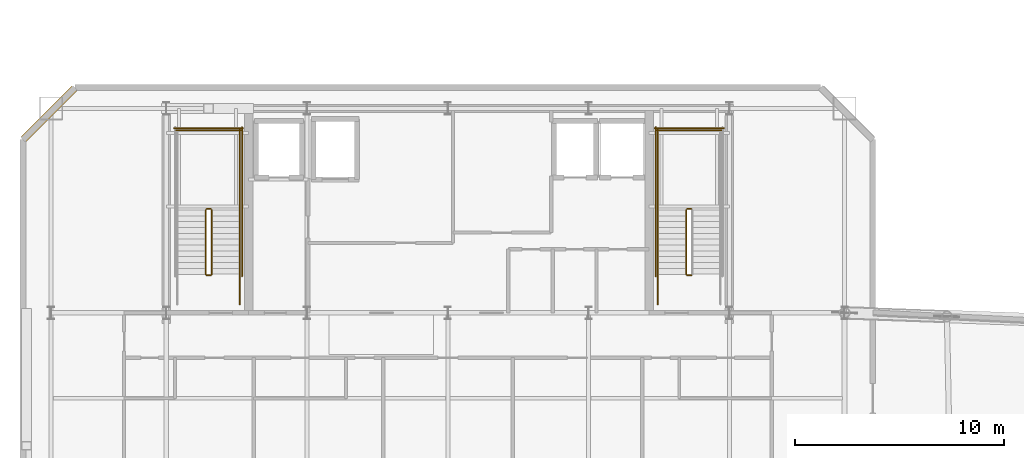
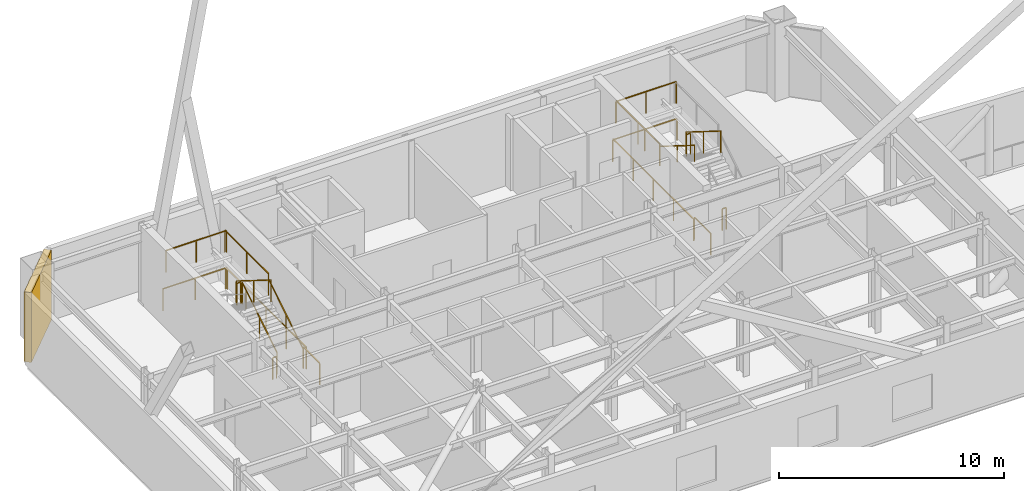
# One storey, part 21 of 23: 19 railings, 1 shading device.
"""IFC4 building model written with IfcOpenShell, lengths in metres."""

from ifc_helpers import new_model, si_unit, direction, frame, origin, origin_2d, place, context, subcontext, project, spatial, rectangle, extrude, material, layer, layer_set, type_object, element, save


model = new_model("IFC4")

# Units and contexts
model_context = context("Model", 3, precision=1e-05, world=origin(), true_north=direction((0.0, 1.0)))
body_context = subcontext(model_context, "Body", "Model", "MODEL_VIEW")
ifc_project = project(units=[si_unit("LENGTHUNIT", "METRE"), si_unit("AREAUNIT", "SQUARE_METRE"), si_unit("VOLUMEUNIT", "CUBIC_METRE"), si_unit("PLANEANGLEUNIT", "RADIAN"), si_unit("MASSUNIT", "GRAM", prefix="KILO")], contexts=[model_context])

# Site, building, storey
site_placement = place(None, origin())
site = spatial("IfcSite", under=ifc_project, at=site_placement, CompositionType="ELEMENT")
building_placement = place(site_placement, origin())
building = spatial("IfcBuilding", under=site, at=building_placement, Name="Haevon Station Towers", CompositionType="ELEMENT")
storey_placement = place(building_placement, frame((0.0, 0.0, 197.10009765625)))
storey = spatial("IfcBuildingStorey", under=building, at=storey_placement, Name="L54", CompositionType="ELEMENT", Elevation=197.10009765625)

# Railings
ifc_material_1 = material(Name="Steel S355", Category="steel")
railing_type_1 = type_object("IfcRailingType", Name="GRD-STR1200", PredefinedType="GUARDRAIL", material=ifc_material_1)
railing_1_placement = place(storey_placement, frame((26.179931640625, 40.050048828125, 0.1748046875)))
element("IfcRailing", 1, at=railing_1_placement, inside=storey, type_object=railing_type_1, Name="L54 ST1 Stair Guard 1", PredefinedType="GUARDRAIL", context=body_context, shape_type="SweptSolid", body=[
    extrude(rectangle(XDim=0.048095703125, YDim=0.048095703125, at=origin_2d()), frame((0.0, 0.0, 1.17578125), z_axis=(0.0, 0.847979421464, 0.530029150871), x_axis=(-1.0, 0.0, 0.0)), (0.0, 0.0, 1.0), 3.632080078125),
    extrude(rectangle(XDim=0.0419921875, YDim=0.0419921875, at=origin_2d()), origin(), (0.0, 0.0, 1.0), 1.15185546875),
    extrude(rectangle(XDim=0.0419921875, YDim=0.0419921875, at=origin_2d()), frame((0.0, 1.5400390625, 0.96240234375)), (0.0, 0.0, 1.0), 1.15185546875),
    extrude(rectangle(XDim=0.0419921875, YDim=0.0419921875, at=origin_2d()), frame((0.0, 3.079833984375, 1.925048828125)), (0.0, 0.0, 1.0), 1.15185546875),
])
railing_2_placement = place(storey_placement, frame((26.1298828125, 43.179931640625, 2.099853515625)))
element("IfcRailing", 2, at=railing_2_placement, inside=storey, type_object=railing_type_1, Name="L54 ST1 Stair Guard 2", PredefinedType="GUARDRAIL", context=body_context, shape_type="SweptSolid", body=[
    extrude(rectangle(XDim=0.048095703125, YDim=0.048095703125, at=origin_2d()), frame((0.0, 0.0, 1.17578125), z_axis=(-1.0, 0.0, 0.0), x_axis=(0.0, -1.0, 0.0)), (0.0, 0.0, 1.0), 0.199951171875),
    extrude(rectangle(XDim=0.0419921875, YDim=0.0419921875, at=origin_2d()), origin(), (0.0, 0.0, 1.0), 1.15185546875),
    extrude(rectangle(XDim=0.0419921875, YDim=0.0419921875, at=origin_2d()), frame((-0.199951171875, 0.0, 0.0)), (0.0, 0.0, 1.0), 1.15185546875),
])
railing_3_placement = place(storey_placement, frame((27.530029296875, 43.1298828125, 2.099853515625)))
element("IfcRailing", 3, at=railing_3_placement, inside=storey, type_object=railing_type_1, Name="L54 ST1 Stair Guard 3", PredefinedType="GUARDRAIL", context=body_context, shape_type="SweptSolid", body=[
    extrude(rectangle(XDim=0.048095703125, YDim=0.048095703125, at=origin_2d()), frame((0.0, 0.0, 1.17578125), z_axis=(0.0, 1.0, 0.0), x_axis=(-1.0, 0.0, 0.0)), (0.0, 0.0, 1.0), 3.8701171875),
    extrude(rectangle(XDim=0.0419921875, YDim=0.0419921875, at=origin_2d()), origin(), (0.0, 0.0, 1.0), 1.15185546875),
    extrude(rectangle(XDim=0.0419921875, YDim=0.0419921875, at=origin_2d()), frame((0.0, 1.93505859375, 0.0)), (0.0, 0.0, 1.0), 1.15185546875),
    extrude(rectangle(XDim=0.0419921875, YDim=0.0419921875, at=origin_2d()), frame((0.0, 3.8701171875, 0.0)), (0.0, 0.0, 1.0), 1.15185546875),
])
railing_4_placement = place(storey_placement, frame((27.580078125, 46.949951171875, 2.099853515625)))
element("IfcRailing", 4, at=railing_4_placement, inside=storey, type_object=railing_type_1, Name="L54 ST1 Stair Guard 5", PredefinedType="GUARDRAIL", context=body_context, shape_type="SweptSolid", body=[
    extrude(rectangle(XDim=0.048095703125, YDim=0.048095703125, at=origin_2d()), frame((0.0, 0.0, 1.17578125), z_axis=(-1.0, 0.0, 0.0), x_axis=(0.0, -1.0, 0.0)), (0.0, 0.0, 1.0), 3.10009765625),
    extrude(rectangle(XDim=0.0419921875, YDim=0.0419921875, at=origin_2d()), origin(), (0.0, 0.0, 1.0), 1.15185546875),
    extrude(rectangle(XDim=0.0419921875, YDim=0.0419921875, at=origin_2d()), frame((-1.550048828125, 0.0, 0.0)), (0.0, 0.0, 1.0), 1.15185546875),
    extrude(rectangle(XDim=0.0419921875, YDim=0.0419921875, at=origin_2d()), frame((-3.10009765625, 0.0, 0.0)), (0.0, 0.0, 1.0), 1.15185546875),
])
railing_5_placement = place(storey_placement, frame((25.8798828125, 43.1298828125, 2.27490234375)))
element("IfcRailing", 5, at=railing_5_placement, inside=storey, type_object=railing_type_1, Name="L54 ST1 Stair Guard 6", PredefinedType="GUARDRAIL", context=body_context, shape_type="SweptSolid", body=[
    extrude(rectangle(XDim=0.048095703125, YDim=0.048095703125, at=origin_2d()), frame((0.0, 0.0, 1.17578125), z_axis=(0.0, -0.847979421464, 0.530029150871), x_axis=(1.0, 0.0, 0.0)), (0.0, 0.0, 1.0), 3.632080078125),
    extrude(rectangle(XDim=0.0419921875, YDim=0.0419921875, at=origin_2d()), origin(), (0.0, 0.0, 1.0), 1.15185546875),
    extrude(rectangle(XDim=0.0419921875, YDim=0.0419921875, at=origin_2d()), frame((0.0, -1.5400390625, 0.96240234375)), (0.0, 0.0, 1.0), 1.15185546875),
    extrude(rectangle(XDim=0.0419921875, YDim=0.0419921875, at=origin_2d()), frame((0.0, -3.079833984375, 1.925048828125)), (0.0, 0.0, 1.0), 1.15185546875),
])
railing_6_placement = place(storey_placement, frame((26.1298828125, 40.0, 0.0)))
element("IfcRailing", 6, at=railing_6_placement, inside=storey, type_object=railing_type_1, Name="L54 ST1 Stair Guard 7", PredefinedType="GUARDRAIL", context=body_context, shape_type="SweptSolid", body=[
    extrude(rectangle(XDim=0.048095703125, YDim=0.048095703125, at=origin_2d()), frame((0.0, 0.0, 1.17578125), z_axis=(-1.0, 0.0, 0.0), x_axis=(0.0, -1.0, 0.0)), (0.0, 0.0, 1.0), 0.199951171875),
    extrude(rectangle(XDim=0.0419921875, YDim=0.0419921875, at=origin_2d()), origin(), (0.0, 0.0, 1.0), 1.15185546875),
    extrude(rectangle(XDim=0.0419921875, YDim=0.0419921875, at=origin_2d()), frame((-0.199951171875, 0.0, 0.0)), (0.0, 0.0, 1.0), 1.15185546875),
])
railing_7_placement = place(storey_placement, frame((27.530029296875, 38.60009765625, 0.0)))
element("IfcRailing", 7, at=railing_7_placement, inside=storey, type_object=railing_type_1, Name="L54 ST1 Stair Guard 8", PredefinedType="GUARDRAIL", context=body_context, shape_type="SweptSolid", body=[
    extrude(rectangle(XDim=0.048095703125, YDim=0.048095703125, at=origin_2d()), frame((0.0, 0.0, 1.17578125), z_axis=(0.0, 1.0, 0.0), x_axis=(-1.0, 0.0, 0.0)), (0.0, 0.0, 1.0), 1.449951171875),
    extrude(rectangle(XDim=0.0419921875, YDim=0.0419921875, at=origin_2d()), origin(), (0.0, 0.0, 1.0), 1.15185546875),
    extrude(rectangle(XDim=0.0419921875, YDim=0.0419921875, at=origin_2d()), frame((0.0, 1.449951171875, 0.0)), (0.0, 0.0, 1.0), 1.15185546875),
])
railing_8_placement = place(storey_placement, frame((27.6298828125, 39.949951171875, 0.0)))
element("IfcRailing", 8, at=railing_8_placement, inside=storey, type_object=railing_type_1, Name="L54 ST1 Stair Guard 10", PredefinedType="GUARDRAIL", context=body_context, shape_type="SweptSolid", body=[
    extrude(rectangle(XDim=0.048095703125, YDim=0.048095703125, at=origin_2d()), frame((0.0, 0.0, 1.17578125), z_axis=(0.0, 1.0, 0.0), x_axis=(-1.0, 0.0, 0.0)), (0.0, 0.0, 1.0), 7.150146484375),
    extrude(rectangle(XDim=0.0419921875, YDim=0.0419921875, at=origin_2d()), origin(), (0.0, 0.0, 1.0), 1.15185546875),
    extrude(rectangle(XDim=0.0419921875, YDim=0.0419921875, at=origin_2d()), frame((0.0, 1.78759765625, 0.0)), (0.0, 0.0, 1.0), 1.15185546875),
    extrude(rectangle(XDim=0.0419921875, YDim=0.0419921875, at=origin_2d()), frame((0.0, 3.5751953125, 0.0)), (0.0, 0.0, 1.0), 1.15185546875),
    extrude(rectangle(XDim=0.0419921875, YDim=0.0419921875, at=origin_2d()), frame((0.0, 5.362548828125, 0.0)), (0.0, 0.0, 1.0), 1.15185546875),
    extrude(rectangle(XDim=0.0419921875, YDim=0.0419921875, at=origin_2d()), frame((0.0, 7.150146484375, 0.0)), (0.0, 0.0, 1.0), 1.15185546875),
])
railing_9_placement = place(storey_placement, frame((27.679931640625, 47.050048828125, 0.0)))
element("IfcRailing", 9, at=railing_9_placement, inside=storey, type_object=railing_type_1, Name="L54 ST1 Stair Guard 12", PredefinedType="GUARDRAIL", context=body_context, shape_type="SweptSolid", body=[
    extrude(rectangle(XDim=0.048095703125, YDim=0.048095703125, at=origin_2d()), frame((0.0, 0.0, 1.17578125), z_axis=(-1.0, 0.0, 0.0), x_axis=(0.0, -1.0, 0.0)), (0.0, 0.0, 1.0), 3.300048828125),
    extrude(rectangle(XDim=0.0419921875, YDim=0.0419921875, at=origin_2d()), origin(), (0.0, 0.0, 1.0), 1.15185546875),
    extrude(rectangle(XDim=0.0419921875, YDim=0.0419921875, at=origin_2d()), frame((-1.64990234375, 0.0, 0.0)), (0.0, 0.0, 1.0), 1.15185546875),
    extrude(rectangle(XDim=0.0419921875, YDim=0.0419921875, at=origin_2d()), frame((-3.300048828125, 0.0, 0.0)), (0.0, 0.0, 1.0), 1.15185546875),
])
railing_10_placement = place(storey_placement, frame((49.169921875, 43.179931640625, 2.099853515625)))
element("IfcRailing", 10, at=railing_10_placement, inside=storey, type_object=railing_type_1, Name="L54 ST2 Stair Guard 2", PredefinedType="GUARDRAIL", context=body_context, shape_type="SweptSolid", body=[
    extrude(rectangle(XDim=0.048095703125, YDim=0.048095703125, at=origin_2d()), frame((0.0, 0.0, 1.17578125), z_axis=(-1.0, 0.0, 0.0), x_axis=(0.0, -1.0, 0.0)), (0.0, 0.0, 1.0), 0.199951171875),
    extrude(rectangle(XDim=0.0419921875, YDim=0.0419921875, at=origin_2d()), origin(), (0.0, 0.0, 1.0), 1.15185546875),
    extrude(rectangle(XDim=0.0419921875, YDim=0.0419921875, at=origin_2d()), frame((-0.199951171875, 0.0, 0.0)), (0.0, 0.0, 1.0), 1.15185546875),
])
railing_11_placement = place(storey_placement, frame((47.570068359375, 43.1298828125, 2.099853515625)))
element("IfcRailing", 11, at=railing_11_placement, inside=storey, type_object=railing_type_1, Name="L54 ST2 Stair Guard 4", PredefinedType="GUARDRAIL", context=body_context, shape_type="SweptSolid", body=[
    extrude(rectangle(XDim=0.048095703125, YDim=0.048095703125, at=origin_2d()), frame((0.0, 0.0, 1.17578125), z_axis=(0.0, 1.0, 0.0), x_axis=(-1.0, 0.0, 0.0)), (0.0, 0.0, 1.0), 3.8701171875),
    extrude(rectangle(XDim=0.0419921875, YDim=0.0419921875, at=origin_2d()), origin(), (0.0, 0.0, 1.0), 1.15185546875),
    extrude(rectangle(XDim=0.0419921875, YDim=0.0419921875, at=origin_2d()), frame((0.0, 1.93505859375, 0.0)), (0.0, 0.0, 1.0), 1.15185546875),
    extrude(rectangle(XDim=0.0419921875, YDim=0.0419921875, at=origin_2d()), frame((0.0, 3.8701171875, 0.0)), (0.0, 0.0, 1.0), 1.15185546875),
])
railing_12_placement = place(storey_placement, frame((50.6201171875, 46.949951171875, 2.099853515625)))
element("IfcRailing", 12, at=railing_12_placement, inside=storey, type_object=railing_type_1, Name="L54 ST2 Stair Guard 5", PredefinedType="GUARDRAIL", context=body_context, shape_type="SweptSolid", body=[
    extrude(rectangle(XDim=0.048095703125, YDim=0.048095703125, at=origin_2d()), frame((0.0, 0.0, 1.17578125), z_axis=(-1.0, 0.0, 0.0), x_axis=(0.0, -1.0, 0.0)), (0.0, 0.0, 1.0), 3.10009765625),
    extrude(rectangle(XDim=0.0419921875, YDim=0.0419921875, at=origin_2d()), origin(), (0.0, 0.0, 1.0), 1.15185546875),
    extrude(rectangle(XDim=0.0419921875, YDim=0.0419921875, at=origin_2d()), frame((-1.550048828125, 0.0, 0.0)), (0.0, 0.0, 1.0), 1.15185546875),
    extrude(rectangle(XDim=0.0419921875, YDim=0.0419921875, at=origin_2d()), frame((-3.10009765625, 0.0, 0.0)), (0.0, 0.0, 1.0), 1.15185546875),
])
railing_13_placement = place(storey_placement, frame((48.919921875, 43.1298828125, 2.27490234375)))
element("IfcRailing", 13, at=railing_13_placement, inside=storey, type_object=railing_type_1, Name="L54 ST2 Stair Guard 6", PredefinedType="GUARDRAIL", context=body_context, shape_type="SweptSolid", body=[
    extrude(rectangle(XDim=0.048095703125, YDim=0.048095703125, at=origin_2d()), frame((0.0, 0.0, 1.17578125), z_axis=(0.0, -0.847979421464, 0.530029150871), x_axis=(1.0, 0.0, 0.0)), (0.0, 0.0, 1.0), 3.632080078125),
    extrude(rectangle(XDim=0.0419921875, YDim=0.0419921875, at=origin_2d()), origin(), (0.0, 0.0, 1.0), 1.15185546875),
    extrude(rectangle(XDim=0.0419921875, YDim=0.0419921875, at=origin_2d()), frame((0.0, -1.5400390625, 0.96240234375)), (0.0, 0.0, 1.0), 1.15185546875),
    extrude(rectangle(XDim=0.0419921875, YDim=0.0419921875, at=origin_2d()), frame((0.0, -3.079833984375, 1.925048828125)), (0.0, 0.0, 1.0), 1.15185546875),
])
railing_14_placement = place(storey_placement, frame((49.169921875, 40.0, 0.0)))
element("IfcRailing", 14, at=railing_14_placement, inside=storey, type_object=railing_type_1, Name="L54 ST2 Stair Guard 7", PredefinedType="GUARDRAIL", context=body_context, shape_type="SweptSolid", body=[
    extrude(rectangle(XDim=0.048095703125, YDim=0.048095703125, at=origin_2d()), frame((0.0, 0.0, 1.17578125), z_axis=(-1.0, 0.0, 0.0), x_axis=(0.0, -1.0, 0.0)), (0.0, 0.0, 1.0), 0.199951171875),
    extrude(rectangle(XDim=0.0419921875, YDim=0.0419921875, at=origin_2d()), origin(), (0.0, 0.0, 1.0), 1.15185546875),
    extrude(rectangle(XDim=0.0419921875, YDim=0.0419921875, at=origin_2d()), frame((-0.199951171875, 0.0, 0.0)), (0.0, 0.0, 1.0), 1.15185546875),
])
railing_15_placement = place(storey_placement, frame((47.570068359375, 38.60009765625, 0.0)))
element("IfcRailing", 15, at=railing_15_placement, inside=storey, type_object=railing_type_1, Name="L54 ST2 Stair Guard 9", PredefinedType="GUARDRAIL", context=body_context, shape_type="SweptSolid", body=[
    extrude(rectangle(XDim=0.048095703125, YDim=0.048095703125, at=origin_2d()), frame((0.0, 0.0, 1.17578125), z_axis=(0.0, 1.0, 0.0), x_axis=(-1.0, 0.0, 0.0)), (0.0, 0.0, 1.0), 1.449951171875),
    extrude(rectangle(XDim=0.0419921875, YDim=0.0419921875, at=origin_2d()), origin(), (0.0, 0.0, 1.0), 1.15185546875),
    extrude(rectangle(XDim=0.0419921875, YDim=0.0419921875, at=origin_2d()), frame((0.0, 1.449951171875, 0.0)), (0.0, 0.0, 1.0), 1.15185546875),
])
railing_16_placement = place(storey_placement, frame((47.469970703125, 39.949951171875, 0.0)))
element("IfcRailing", 16, at=railing_16_placement, inside=storey, type_object=railing_type_1, Name="L54 ST2 Stair Guard 11", PredefinedType="GUARDRAIL", context=body_context, shape_type="SweptSolid", body=[
    extrude(rectangle(XDim=0.048095703125, YDim=0.048095703125, at=origin_2d()), frame((0.0, 0.0, 1.17578125), z_axis=(0.0, 1.0, 0.0), x_axis=(-1.0, 0.0, 0.0)), (0.0, 0.0, 1.0), 7.150146484375),
    extrude(rectangle(XDim=0.0419921875, YDim=0.0419921875, at=origin_2d()), origin(), (0.0, 0.0, 1.0), 1.15185546875),
    extrude(rectangle(XDim=0.0419921875, YDim=0.0419921875, at=origin_2d()), frame((0.0, 1.78759765625, 0.0)), (0.0, 0.0, 1.0), 1.15185546875),
    extrude(rectangle(XDim=0.0419921875, YDim=0.0419921875, at=origin_2d()), frame((0.0, 3.5751953125, 0.0)), (0.0, 0.0, 1.0), 1.15185546875),
    extrude(rectangle(XDim=0.0419921875, YDim=0.0419921875, at=origin_2d()), frame((0.0, 5.362548828125, 0.0)), (0.0, 0.0, 1.0), 1.15185546875),
    extrude(rectangle(XDim=0.0419921875, YDim=0.0419921875, at=origin_2d()), frame((0.0, 7.150146484375, 0.0)), (0.0, 0.0, 1.0), 1.15185546875),
])
railing_17_placement = place(storey_placement, frame((50.719970703125, 47.050048828125, 0.0)))
element("IfcRailing", 17, at=railing_17_placement, inside=storey, type_object=railing_type_1, Name="L54 ST2 Stair Guard 12", PredefinedType="GUARDRAIL", context=body_context, shape_type="SweptSolid", body=[
    extrude(rectangle(XDim=0.048095703125, YDim=0.048095703125, at=origin_2d()), frame((0.0, 0.0, 1.17578125), z_axis=(-1.0, 0.0, 0.0), x_axis=(0.0, -1.0, 0.0)), (0.0, 0.0, 1.0), 3.300048828125),
    extrude(rectangle(XDim=0.0419921875, YDim=0.0419921875, at=origin_2d()), origin(), (0.0, 0.0, 1.0), 1.15185546875),
    extrude(rectangle(XDim=0.0419921875, YDim=0.0419921875, at=origin_2d()), frame((-1.64990234375, 0.0, 0.0)), (0.0, 0.0, 1.0), 1.15185546875),
    extrude(rectangle(XDim=0.0419921875, YDim=0.0419921875, at=origin_2d()), frame((-3.300048828125, 0.0, 0.0)), (0.0, 0.0, 1.0), 1.15185546875),
])
railing_type_2 = type_object("IfcRailingType", Name="HND-STR900", PredefinedType="HANDRAIL", material=ifc_material_1)
railing_18_placement = place(storey_placement, frame((27.530029296875, 40.050048828125, 0.1748046875)))
element("IfcRailing", 18, at=railing_18_placement, inside=storey, type_object=railing_type_2, Name="L54 ST1 Stair Handrail 1", PredefinedType="HANDRAIL", context=body_context, shape_type="SweptSolid", body=[
    extrude(rectangle(XDim=0.048095703125, YDim=0.048095703125, at=origin_2d()), frame((0.0, 0.0, 0.8759765625), z_axis=(0.0, 0.847979421464, 0.530029150871), x_axis=(-1.0, 0.0, 0.0)), (0.0, 0.0, 1.0), 3.632080078125),
    extrude(rectangle(XDim=0.0419921875, YDim=0.0419921875, at=origin_2d()), origin(), (0.0, 0.0, 1.0), 0.851806640625),
    extrude(rectangle(XDim=0.0419921875, YDim=0.0419921875, at=origin_2d()), frame((0.0, 1.5400390625, 0.96240234375)), (0.0, 0.0, 1.0), 0.851806640625),
    extrude(rectangle(XDim=0.0419921875, YDim=0.0419921875, at=origin_2d()), frame((0.0, 3.079833984375, 1.925048828125)), (0.0, 0.0, 1.0), 0.851806640625),
])
railing_19_placement = place(storey_placement, frame((47.570068359375, 43.1298828125, 2.27490234375)))
element("IfcRailing", 19, at=railing_19_placement, inside=storey, type_object=railing_type_2, Name="L54 ST2 Stair Handrail 2", PredefinedType="HANDRAIL", context=body_context, shape_type="SweptSolid", body=[
    extrude(rectangle(XDim=0.048095703125, YDim=0.048095703125, at=origin_2d()), frame((0.0, 0.0, 0.8759765625), z_axis=(0.0, -0.847979421464, 0.530029150871), x_axis=(1.0, 0.0, 0.0)), (0.0, 0.0, 1.0), 3.632080078125),
    extrude(rectangle(XDim=0.0419921875, YDim=0.0419921875, at=origin_2d()), origin(), (0.0, 0.0, 1.0), 0.851806640625),
    extrude(rectangle(XDim=0.0419921875, YDim=0.0419921875, at=origin_2d()), frame((0.0, -1.5400390625, 0.96240234375)), (0.0, 0.0, 1.0), 0.851806640625),
    extrude(rectangle(XDim=0.0419921875, YDim=0.0419921875, at=origin_2d()), frame((0.0, -3.079833984375, 1.925048828125)), (0.0, 0.0, 1.0), 0.851806640625),
])

# Shading device
ifc_material_2 = material(Name="Anodised aluminium 6063-T6", Category="aluminium")
ifc_layer = layer(ifc_material_2, 0.139892578125)
ifc_layer_set = layer_set([ifc_layer], Name="Anodised aluminium 6063-T6")
shading_device_type = type_object("IfcShadingDeviceType", Name="SHD-WIND-BAFFLE", PredefinedType="SHUTTER", material=ifc_layer_set)
shading_device_placement = place(storey_placement, frame((18.375, 47.75, 0.0498046875), z_axis=(0.0, 0.0, 1.0), x_axis=(0.707106781187, 0.707106781187, 0.0)))
element("IfcShadingDevice", 20, at=shading_device_placement, inside=storey, type_object=shading_device_type, Name="Tower 1 L54 Wind-Corner Aerofoil Baffle NWC", PredefinedType="SHUTTER", context=body_context, shape_type="SweptSolid", body=[
    extrude(rectangle(XDim=3.435546875, YDim=0.340087890625, at=origin_2d()), origin(), (0.0, 0.0, 1.0), 3.780029296875),
])

save(model, "model.ifc")
